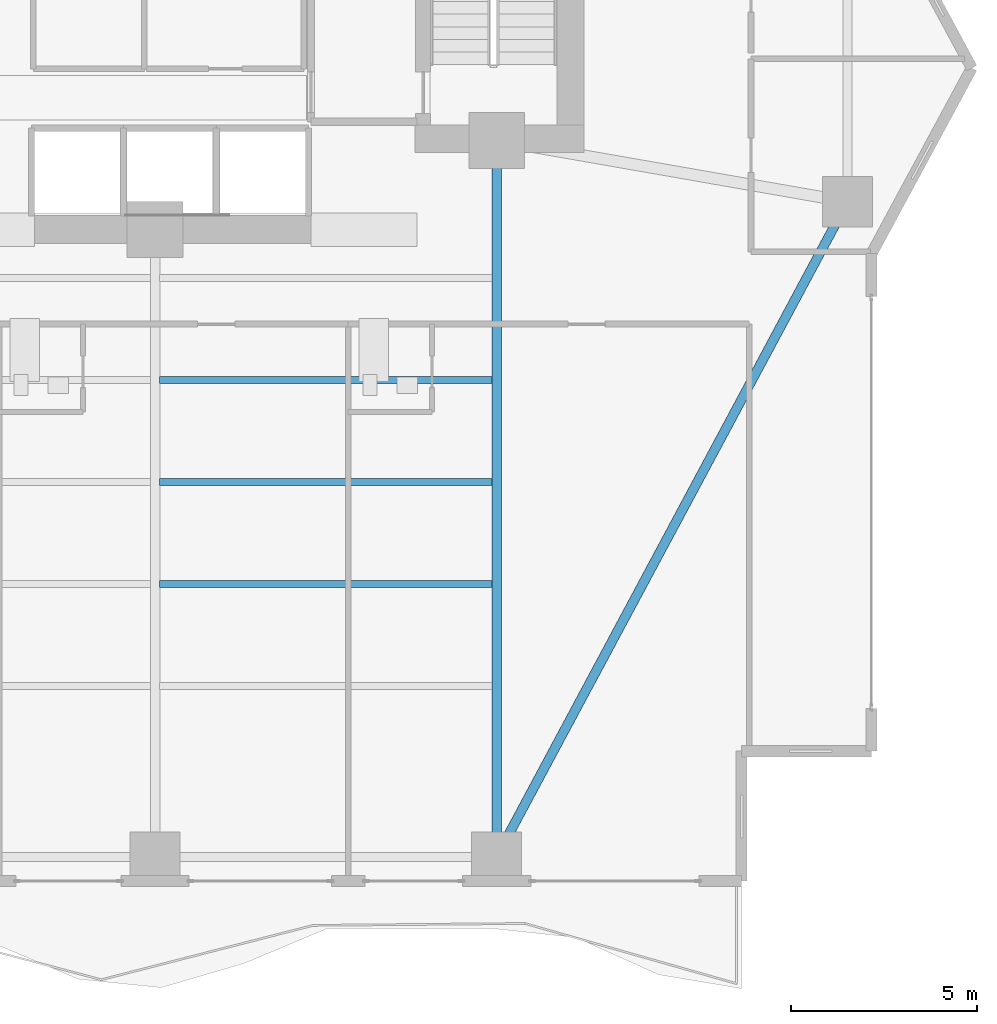
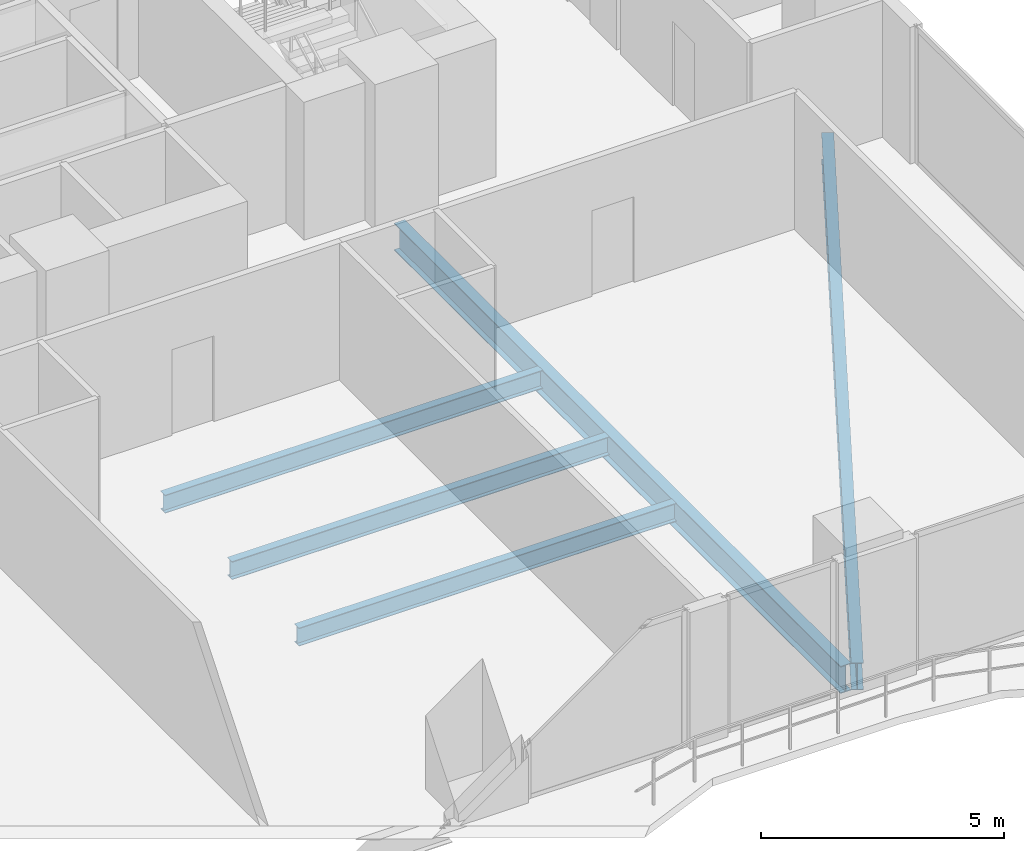
# One storey, part 10 of 28: 5 beams.
"""IFC4 building model written with IfcOpenShell, lengths in metres."""

from ifc_helpers import new_model, si_unit, direction, frame, origin, origin_2d, place, context, subcontext, project, spatial, i_section, extrude, material, material_profile, profile_set, type_object, element, save


model = new_model("IFC4")

# Units and contexts
model_context = context("Model", 3, precision=1e-05, world=origin(), true_north=direction((0.0, 1.0)))
body_context = subcontext(model_context, "Body", "Model", "MODEL_VIEW")
ifc_project = project(units=[si_unit("LENGTHUNIT", "METRE"), si_unit("AREAUNIT", "SQUARE_METRE"), si_unit("VOLUMEUNIT", "CUBIC_METRE"), si_unit("PLANEANGLEUNIT", "RADIAN"), si_unit("MASSUNIT", "GRAM", prefix="KILO")], contexts=[model_context])

# Site, building, storey
site_placement = place(None, origin())
site = spatial("IfcSite", under=ifc_project, at=site_placement, CompositionType="ELEMENT")
building_placement = place(site_placement, origin())
building = spatial("IfcBuilding", under=site, at=building_placement, Name="Zuhayl Quay Hotel", CompositionType="ELEMENT")
storey_placement = place(building_placement, frame((0.0, 0.0, 121.199951171875)))
storey = spatial("IfcBuildingStorey", under=building, at=storey_placement, Name="L30", CompositionType="ELEMENT", Elevation=121.199951171875)

# Beams
ifc_material = material(Name="Steel ASTM A992 Grade 50", Category="steel")
ifc_material_profile_1 = material_profile(ifc_material, i_section(OverallWidth=0.25390625, OverallDepth=0.68310546875, WebThickness=0.012451171875, FlangeThickness=0.018798828125, at=origin_2d()), Name="W27X94")
ifc_profile_set_1 = profile_set([ifc_material_profile_1], Name="Steel ASTM A992 Grade 50")
beam_type_1 = type_object("IfcBeamType", Name="BM_B2_W27X94", PredefinedType="BEAM", material=ifc_profile_set_1)
beam_1_placement = place(storey_placement, frame((14.035888671875, -14.30908203125, -0.5615234375), z_axis=(0.472017301959, 0.88158928456, 0.0), x_axis=(-0.88158928456, 0.472017301959, 0.0)))
element("IfcBeam", 1, at=beam_1_placement, inside=storey, type_object=beam_type_1, Name="L30 Floor Beam RG_L30_04", PredefinedType="BEAM", context=body_context, shape_type="SweptSolid", body=[
    extrude(i_section(OverallWidth=0.25390625, OverallDepth=0.68310546875, WebThickness=0.012451171875, FlangeThickness=0.018798828125, at=origin_2d()), origin(), (0.0, 0.0, 1.0), 19.0205078125),
])
beam_2_placement = place(storey_placement, frame((13.800048828125, -14.25, -0.5615234375), z_axis=(0.0, 1.0, 0.0), x_axis=(-1.0, 0.0, 0.0)))
element("IfcBeam", 2, at=beam_2_placement, inside=storey, type_object=beam_type_1, Name="L30 Floor Beam FG_S_L30_4", PredefinedType="BEAM", context=body_context, shape_type="SweptSolid", body=[
    extrude(i_section(OverallWidth=0.25390625, OverallDepth=0.68310546875, WebThickness=0.012451171875, FlangeThickness=0.018798828125, at=origin_2d()), origin(), (0.0, 0.0, 1.0), 18.35009765625),
])
ifc_material_profile_2 = material_profile(ifc_material, i_section(OverallWidth=0.18994140625, OverallDepth=0.45703125, WebThickness=0.009033203125, FlangeThickness=0.014404296875, at=origin_2d()), Name="W18X50")
ifc_profile_set_2 = profile_set([ifc_material_profile_2], Name="Steel ASTM A992 Grade 50")
beam_type_2 = type_object("IfcBeamType", Name="BM_J2_W18X50", PredefinedType="JOIST", material=ifc_profile_set_2)
for number, where, z_axis, x_axis, name in (
    (3, (4.718994140625, -7.39990234375, -0.448486328125), (1.0, 0.0, 0.0), (0.0, 1.0, 0.0), "L30 Floor Beam FJ_L30_6_3"),
    (4, (4.718994140625, -4.64990234375, -0.448486328125), (1.0, 0.0, 0.0), (0.0, 1.0, 0.0), "L30 Floor Beam FJ_L30_7_3"),
    (5, (4.718994140625, -1.89990234375, -0.448486328125), (1.0, 0.0, 0.0), (0.0, 1.0, 0.0), "L30 Floor Beam FJ_L30_8_3"),
):
    element("IfcBeam", number, at=place(storey_placement, frame(where, z_axis=z_axis, x_axis=x_axis)), inside=storey, type_object=beam_type_2, Name=name, PredefinedType="JOIST", context=body_context, shape_type="SweptSolid", body=[
        extrude(i_section(OverallWidth=0.18994140625, OverallDepth=0.45703125, WebThickness=0.009033203125, FlangeThickness=0.014404296875, at=origin_2d()), origin(), (0.0, 0.0, 1.0), 8.9619140625),
    ])

save(model, "model.ifc")
